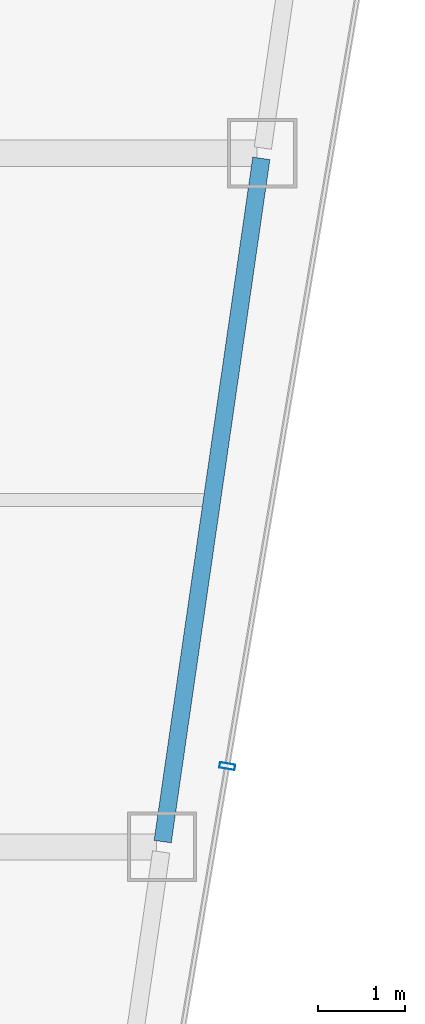
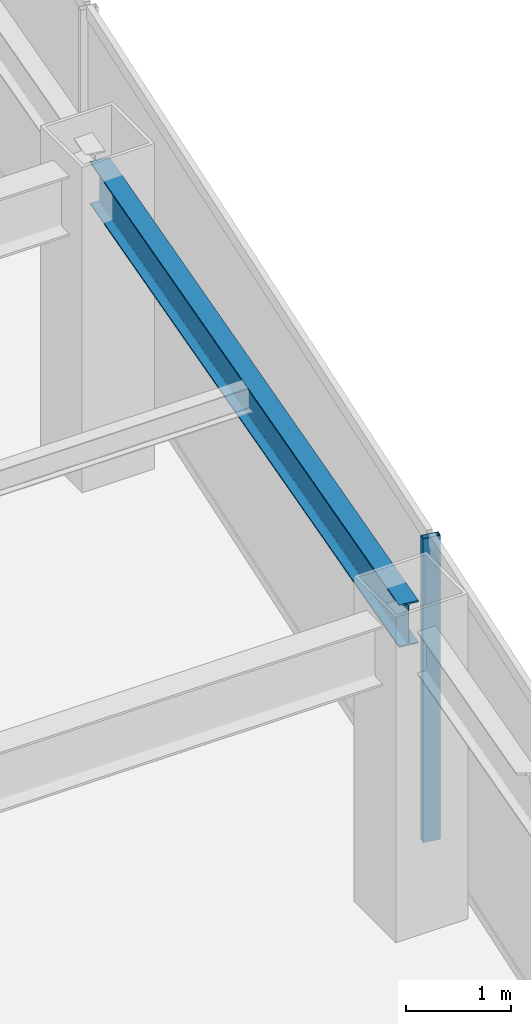
# One storey, part 20 of 35: 1 beam, 1 member, 1 element without a shape of its own.
"""IFC4 building model written with IfcOpenShell, lengths in metres."""

from ifc_helpers import new_model, si_unit, direction, frame, origin, origin_2d, place, context, subcontext, project, spatial, hollow_rectangle, i_section, extrude, material, material_profile, profile_set, type_object, element, aggregate, save


model = new_model("IFC4")

# Units and contexts
model_context = context("Model", 3, precision=1e-05, world=origin(), true_north=direction((0.0, 1.0)))
body_context = subcontext(model_context, "Body", "Model", "MODEL_VIEW")
ifc_project = project(units=[si_unit("LENGTHUNIT", "METRE"), si_unit("AREAUNIT", "SQUARE_METRE"), si_unit("VOLUMEUNIT", "CUBIC_METRE"), si_unit("PLANEANGLEUNIT", "RADIAN"), si_unit("MASSUNIT", "GRAM", prefix="KILO")], contexts=[model_context])

# Site, building, storey
site_placement = place(None, origin())
site = spatial("IfcSite", under=ifc_project, at=site_placement, CompositionType="ELEMENT")
building_placement = place(site_placement, origin())
building = spatial("IfcBuilding", under=site, at=building_placement, Name="Saevonmaru Cultural Tower", CompositionType="ELEMENT")
storey_placement = place(building_placement, frame((0.0, 0.0, 213.199951171875)))
storey = spatial("IfcBuildingStorey", under=building, at=storey_placement, Name="L49", CompositionType="ELEMENT", Elevation=213.199951171875)

# Beam
ifc_material_1 = material(Name="Steel SM355", Category="steel")
ifc_material_profile_1 = material_profile(ifc_material_1, i_section(OverallWidth=0.199951171875, OverallDepth=0.5, WebThickness=0.010009765625, FlangeThickness=0.01611328125, FilletRadius=0.02001953125, at=origin_2d()), Name="H-500x200x10x16")
ifc_profile_set_1 = profile_set([ifc_material_profile_1], Name="Steel SM355")
beam_type = type_object("IfcBeamType", Name="BM-SP-H500", PredefinedType="SPANDREL", material=ifc_profile_set_1)
beam_placement = place(storey_placement, frame((50.53662109375, 24.059326171875, 3.300048828125), z_axis=(0.142871999001, 0.989741174197, 0.0), x_axis=(-0.989741174197, 0.142871999001, 0.0)))
element("IfcBeam", 1, at=beam_placement, inside=storey, type_object=beam_type, Name="L49 East Splayed Spandrel 2", PredefinedType="SPANDREL", context=body_context, shape_type="SweptSolid", body=[
    extrude(i_section(OverallWidth=0.199951171875, OverallDepth=0.5, WebThickness=0.010009765625, FlangeThickness=0.01611328125, FilletRadius=0.02001953125, at=origin_2d()), origin(), (0.0, 0.0, 1.0), 7.963134765625),
])

# Curtain wall, member
ifc_material_2 = material(Name="Satin Bronze Anodised Aluminium", Category="aluminium")
curtain_wall_type = type_object("IfcCurtainWallType", Name="CW-TYP-B", PredefinedType="NOTDEFINED", material=ifc_material_2)
curtain_wall_placement = place(storey_placement, origin())
curtain_wall = element("IfcCurtainWall", 2, at=curtain_wall_placement, inside=storey, type_object=curtain_wall_type, Name="L49 Unitised Curtain Wall E8", PredefinedType="NOTDEFINED")
ifc_material_profile_2 = material_profile(ifc_material_2, hollow_rectangle(XDim=0.06494140625, YDim=0.179931640625, WallThickness=0.00390625, at=origin_2d()), Name="ALU-MULL-180x65x4")
ifc_profile_set_2 = profile_set([ifc_material_profile_2], Name="Satin Bronze Anodised Aluminium")
member_type = type_object("IfcMemberType", Name="ML-CW-180x65", PredefinedType="MULLION", material=ifc_profile_set_2)
member_placement = place(storey_placement, frame((51.28173828125, 24.9296875, 0.0), z_axis=(0.0, 0.0, 1.0), x_axis=(0.16692169721, 0.985970155228, 0.0)))
member = element("IfcMember", 3, at=member_placement, type_object=member_type, Name="CW-TW-L49-E8 mullion 2", PredefinedType="MULLION", context=body_context, shape_type="SweptSolid", body=[
    extrude(hollow_rectangle(XDim=0.06494140625, YDim=0.179931640625, WallThickness=0.00390625, at=origin_2d()), origin(), (0.0, 0.0, 1.0), 3.550048828125),
])
aggregate(curtain_wall, [member])

save(model, "model.ifc")
